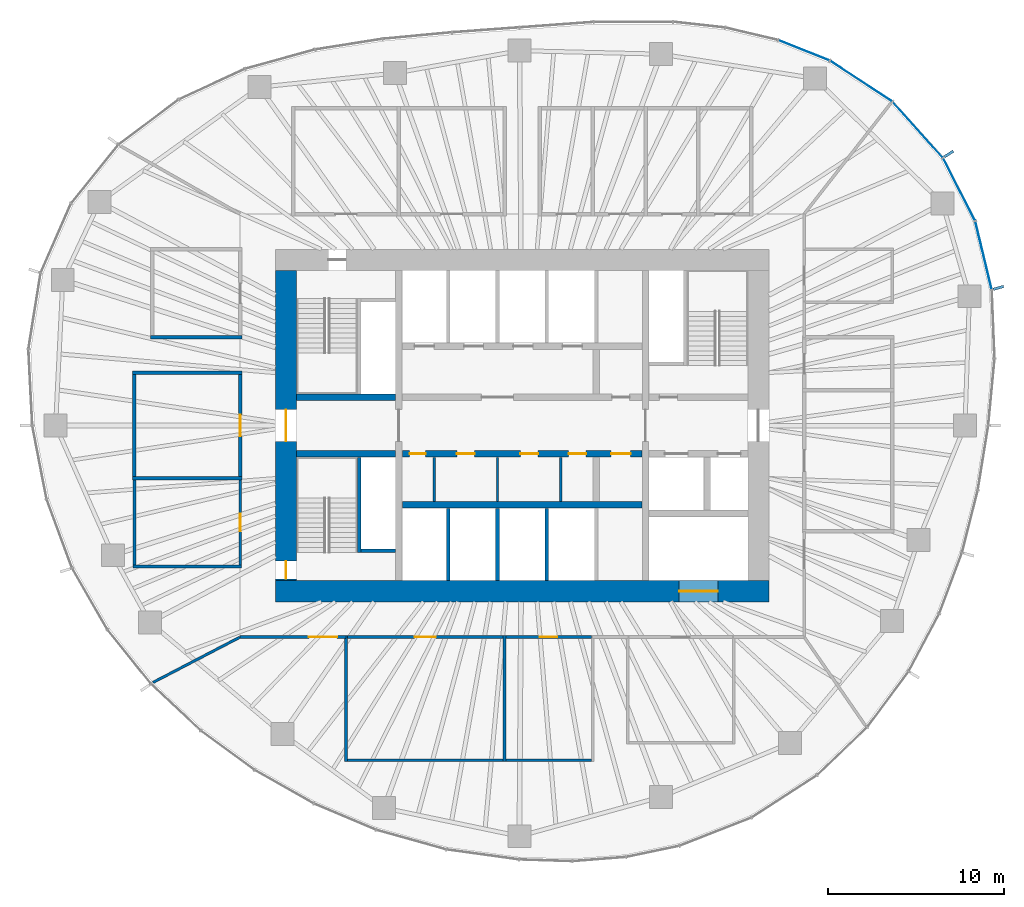
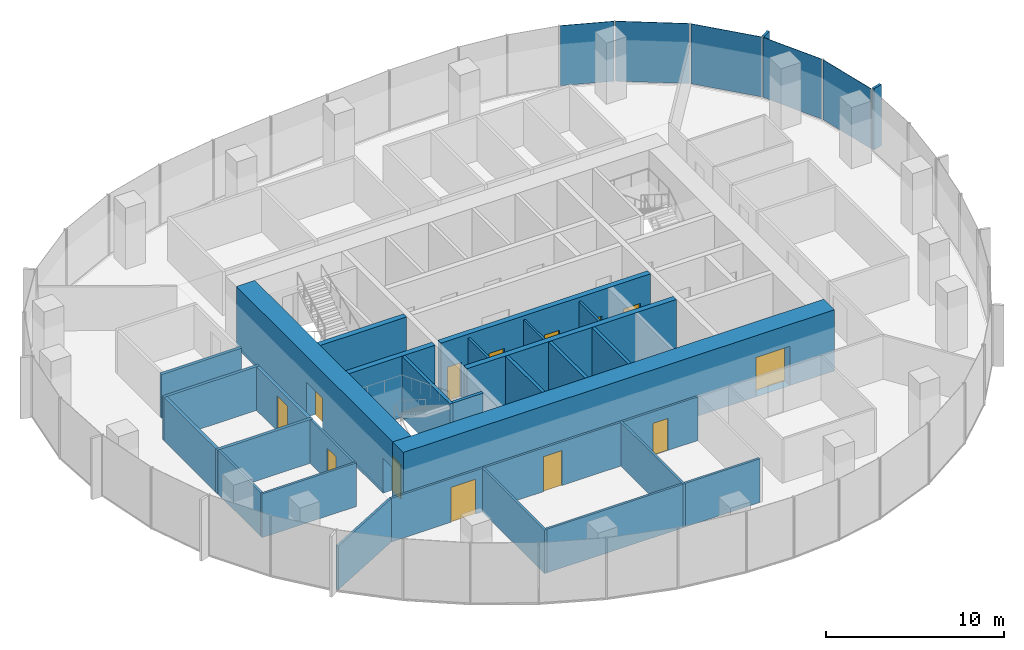
# One storey, part 8 of 11: 30 walls, 13 doors, 7 plates, 13 openings, 3 elements without a shape of their own.
"""IFC4 building model written with IfcOpenShell, lengths in metres."""

from ifc_helpers import new_model, si_unit, direction, frame, frame_2d, origin, origin_2d, place, context, subcontext, project, spatial, rectangle, extrude, material, layer, layer_set, type_object, element, fill, aggregate, save


model = new_model("IFC4")

# Units and contexts
model_context = context("Model", 3, precision=1e-05, world=origin(), true_north=direction((0.0, 1.0)))
body_context = subcontext(model_context, "Body", "Model", "MODEL_VIEW")
ifc_project = project(units=[si_unit("LENGTHUNIT", "METRE"), si_unit("AREAUNIT", "SQUARE_METRE"), si_unit("VOLUMEUNIT", "CUBIC_METRE"), si_unit("PLANEANGLEUNIT", "RADIAN"), si_unit("MASSUNIT", "GRAM", prefix="KILO")], contexts=[model_context])

# Site, building, storey
site_placement = place(None, origin())
site = spatial("IfcSite", under=ifc_project, at=site_placement, CompositionType="ELEMENT")
building_placement = place(site_placement, origin())
building = spatial("IfcBuilding", under=site, at=building_placement, Name="Ghaith Harvest Tower", CompositionType="ELEMENT")
storey_placement = place(building_placement, frame((0.0, 0.0, 220.0)))
storey = spatial("IfcBuildingStorey", under=building, at=storey_placement, Name="L48", CompositionType="ELEMENT", Elevation=220.0)

# Curtain wall, plates
ifc_material_1 = material(Name="Black anodised aluminium and fritted glass", Category="aluminium")
curtain_wall_type = type_object("IfcCurtainWallType", Name="CW-H CURTAIN WALL", PredefinedType="NOTDEFINED", material=ifc_material_1)
curtain_wall_1_placement = place(storey_placement, origin())
curtain_wall_1 = element("IfcCurtainWall", 1, at=curtain_wall_1_placement, inside=storey, type_object=curtain_wall_type, Name="Curtain wall CW-H bay 02 L48", PredefinedType="NOTDEFINED")
ifc_material_2 = material(Name="Glass, dark solar-control fritted double glazed unit", Category="glass")
ifc_layer_1 = layer(ifc_material_2, 0.030029296875)
ifc_layer_set_1 = layer_set([ifc_layer_1], Name="CW-H VISION PANEL")
plate_type_1 = type_object("IfcPlateType", Name="CW-H VISION PANEL", PredefinedType="CURTAIN_PANEL", material=ifc_layer_set_1)
plate_1_placement = place(storey_placement, frame((26.1767578125, 9.6533203125, 0.079833984375), z_axis=(0.0, 0.0, 1.0), x_axis=(-0.233894000303, 0.972262102842, 0.0)))
plate_1 = element("IfcPlate", 2, at=plate_1_placement, type_object=plate_type_1, Name="CW-H glass unit 1 bay 02 L48", PredefinedType="CURTAIN_PANEL", context=body_context, shape_type="SweptSolid", body=[
    extrude(rectangle(XDim=3.935546875, YDim=0.030029296875, at=origin_2d()), origin(), (0.0, 0.0, 1.0), 4.1201171875),
])
plate_2_placement = place(storey_placement, frame((24.790771484375, 13.399658203125, 0.079833984375), z_axis=(0.0, 0.0, 1.0), x_axis=(-0.454915320985, 0.890534699342, 0.0)))
plate_2 = element("IfcPlate", 3, at=plate_2_placement, type_object=plate_type_1, Name="CW-H glass unit 2 bay 02 L48", PredefinedType="CURTAIN_PANEL", context=body_context, shape_type="SweptSolid", body=[
    extrude(rectangle(XDim=3.949462890625, YDim=0.030029296875, at=origin_2d()), origin(), (0.0, 0.0, 1.0), 4.1201171875),
])
aggregate(curtain_wall_1, [plate_1, plate_2])

curtain_wall_2_placement = place(storey_placement, origin())
curtain_wall_2 = element("IfcCurtainWall", 4, at=curtain_wall_2_placement, inside=storey, type_object=curtain_wall_type, Name="Curtain wall CW-H bay 03 L48", PredefinedType="NOTDEFINED")
plate_3_placement = place(storey_placement, frame((22.44384765625, 16.783935546875, 0.079833984375), z_axis=(0.0, 0.0, 1.0), x_axis=(-0.668757736889, 0.743480389352, 0.0)))
plate_3 = element("IfcPlate", 5, at=plate_3_placement, type_object=plate_type_1, Name="CW-H glass unit 1 bay 03 L48", PredefinedType="CURTAIN_PANEL", context=body_context, shape_type="SweptSolid", body=[
    extrude(rectangle(XDim=4.19775390625, YDim=0.030029296875, at=origin_2d()), origin(), (0.0, 0.0, 1.0), 4.1201171875),
])
plate_4_placement = place(storey_placement, frame((19.236328125, 19.539306640625, 0.079833984375), z_axis=(0.0, 0.0, 1.0), x_axis=(-0.836276741583, 0.548307588392, 0.0)))
plate_4 = element("IfcPlate", 6, at=plate_4_placement, type_object=plate_type_1, Name="CW-H glass unit 2 bay 03 L48", PredefinedType="CURTAIN_PANEL", context=body_context, shape_type="SweptSolid", body=[
    extrude(rectangle(XDim=4.169677734375, YDim=0.030029296875, at=origin_2d()), origin(), (0.0, 0.0, 1.0), 4.1201171875),
])
aggregate(curtain_wall_2, [plate_3, plate_4])

# Curtain wall, plate
curtain_wall_3_placement = place(storey_placement, origin())
curtain_wall_3 = element("IfcCurtainWall", 7, at=curtain_wall_3_placement, inside=storey, type_object=curtain_wall_type, Name="Curtain wall CW-H bay 04 L48", PredefinedType="NOTDEFINED")
plate_5_placement = place(storey_placement, frame((15.993408203125, 21.287841796875, 0.079833984375), z_axis=(0.0, 0.0, 1.0), x_axis=(-0.929107322045, 0.369810200133, 0.0)))
plate_5 = element("IfcPlate", 8, at=plate_5_placement, type_object=plate_type_1, Name="CW-H glass unit 1 bay 04 L48", PredefinedType="CURTAIN_PANEL", context=body_context, shape_type="SweptSolid", body=[
    extrude(rectangle(XDim=3.075927734375, YDim=0.030029296875, at=origin_2d()), origin(), (0.0, 0.0, 1.0), 4.1201171875),
])
aggregate(curtain_wall_3, [plate_5])

# Plates
ifc_material_3 = material(Name="Glassfibre-reinforced concrete", Category="concrete")
ifc_layer_2 = layer(ifc_material_3, 0.14990234375)
ifc_layer_set_2 = layer_set([ifc_layer_2], Name="SUN-BREAKER FIN 600x150")
plate_type_2 = type_object("IfcPlateType", Name="SUN-BREAKER FIN 600x150", PredefinedType="USERDEFINED", material=ifc_layer_set_2)
for number, where, z_axis, x_axis, name in (
    (9, (27.03076171875, 7.8125, 0.0), (0.0, 0.0, 1.0), (0.960680349985, 0.277656739792, 0.0), "Sun-breaker fin CW-H 1 bay 02 L48"),
    (10, (24.211669921875, 15.408447265625, 0.0), (0.0, 0.0, 1.0), (0.843643971464, 0.536903016766, 0.0), "Sun-breaker fin CW-H 1 bay 03 L48"),
):
    element("IfcPlate", number, at=place(storey_placement, frame(where, z_axis=z_axis, x_axis=x_axis)), inside=storey, type_object=plate_type_2, Name=name, ObjectType="SUN-BREAKER FIN", PredefinedType="USERDEFINED", context=body_context, shape_type="SweptSolid", body=[
        extrude(rectangle(XDim=0.60009765625, YDim=0.14990234375, at=origin_2d()), origin(), (0.0, 0.0, 1.0), 4.199951171875),
    ])

# Walls
ifc_material_4 = material(Name="Twin-stud gypsum board, acoustic", Category="gypsum")
ifc_layer_3 = layer(ifc_material_4, 0.199951171875)
ifc_layer_set_3 = layer_set([ifc_layer_3], Name="ACOUSTIC PARTITION 200")
wall_type_1 = type_object("IfcWallType", Name="ACOUSTIC PARTITION 200", PredefinedType="PARTITIONING", material=ifc_layer_set_3)
for number, where, z_axis, x_axis, name in (
    (11, (-15.89990234375, -3.0, 0.0), (0.0, 0.0, 1.0), (-1.0, 0.0, 0.0), "Partition L48 row W6 cross wall 2"),
    (12, (-15.89990234375, 3.0, 0.0), (0.0, 0.0, 1.0), (-1.0, 0.0, 0.0), "Partition L48 row W6 cross wall 3"),
):
    element("IfcWall", number, at=place(storey_placement, frame(where, z_axis=z_axis, x_axis=x_axis)), inside=storey, type_object=wall_type_1, Name=name, PredefinedType="PARTITIONING", context=body_context, shape_type="SweptSolid", body=[
        extrude(rectangle(XDim=6.2001953125, YDim=0.199951171875, at=frame_2d((3.10009765625, 0.0))), origin(), (0.0, 0.0, 1.0), 3.0),
    ])

# Wall, opening, door
wall_1_placement = place(storey_placement, frame((-16.0, -2.89990234375, 0.0), z_axis=(0.0, 0.0, 1.0), x_axis=(0.0, 1.0, 0.0)))
wall_1 = element("IfcWall", 13, at=wall_1_placement, inside=storey, type_object=wall_type_1, Name="Partition L48-13", PredefinedType="PARTITIONING", context=body_context, shape_type="SweptSolid", body=[
    extrude(rectangle(XDim=5.7998046875, YDim=0.199951171875, at=frame_2d((2.89990234375, 0.0))), origin(), (0.0, 0.0, 1.0), 3.0),
])
opening_1_placement = place(wall_1_placement, frame((2.300048828125, 0.0, 0.0)))
opening_1 = element("IfcOpeningElement", 14, at=opening_1_placement, cuts=wall_1, Name="Opening 48-034", PredefinedType="OPENING", context=body_context, shape_type="SweptSolid", body=[
    extrude(rectangle(XDim=1.199951171875, YDim=2.39990234375, at=frame_2d((0.60009765625, 1.199951171875))), frame((0.0, 0.10986328125, 0.0), z_axis=(0.0, -1.0, 0.0), x_axis=(1.0, 0.0, 0.0)), (0.0, 0.0, 1.0), 0.219970703125),
])
ifc_material_5 = material(Name="Timber door", Category="wood")
door_type_1 = type_object("IfcDoorType", Name="D11 GLAZED 1200x2400", OperationType="SINGLE_SWING_LEFT", PredefinedType="DOOR", material=ifc_material_5)
door_1_placement = place(opening_1_placement, origin())
door_1 = element("IfcDoor", 15, at=door_1_placement, inside=storey, type_object=door_type_1, Name="Meeting room door", OperationType="SINGLE_SWING_LEFT", OverallHeight=2.39990234375, OverallWidth=1.199951171875, PredefinedType="DOOR", context=body_context, shape_type="SweptSolid", body=[
    extrude(rectangle(XDim=1.199951171875, YDim=2.39990234375, at=frame_2d((0.60009765625, 1.199951171875))), frame((0.0, 0.02490234375, 0.0), z_axis=(0.0, -1.0, 0.0), x_axis=(1.0, 0.0, 0.0)), (0.0, 0.0, 1.0), 0.050048828125),
])
fill(opening_1, door_1)

# Walls
wall_2_placement = place(storey_placement, frame((-22.0, -2.89990234375, 0.0), z_axis=(0.0, 0.0, 1.0), x_axis=(0.0, 1.0, 0.0)))
element("IfcWall", 16, at=wall_2_placement, inside=storey, type_object=wall_type_1, Name="Partition L48-13", PredefinedType="PARTITIONING", context=body_context, shape_type="SweptSolid", body=[
    extrude(rectangle(XDim=5.7998046875, YDim=0.199951171875, at=frame_2d((2.89990234375, 0.0))), origin(), (0.0, 0.0, 1.0), 3.0),
])
wall_3_placement = place(storey_placement, frame((-15.89990234375, 5.0, 0.0), z_axis=(0.0, 0.0, 1.0), x_axis=(-1.0, 0.0, 0.0)))
element("IfcWall", 17, at=wall_3_placement, inside=storey, type_object=wall_type_1, Name="Partition L48 row W8 cross wall 1", PredefinedType="PARTITIONING", context=body_context, shape_type="SweptSolid", body=[
    extrude(rectangle(XDim=5.2001953125, YDim=0.199951171875, at=frame_2d((2.60009765625, 0.0))), origin(), (0.0, 0.0, 1.0), 3.0),
])
ifc_material_6 = material(Name="Concrete blockwork, fair-faced", Category="masonry")
ifc_layer_4 = layer(ifc_material_6, 0.139892578125)
ifc_layer_set_4 = layer_set([ifc_layer_4], Name="CORE PARTITION 140")
wall_type_2 = type_object("IfcWallType", Name="CORE PARTITION 140", PredefinedType="PARTITIONING", material=ifc_layer_set_4)
for number, where, z_axis, x_axis, name in (
    (18, (-5.0, -1.800048828125, 0.0), (0.0, 0.0, 1.0), (0.0, -1.0, 0.0), "Core partition L48"),
    (19, (-1.39990234375, -1.800048828125, 0.0), (0.0, 0.0, 1.0), (0.0, -1.0, 0.0), "Core partition L48"),
    (20, (2.199951171875, -1.800048828125, 0.0), (0.0, 0.0, 1.0), (0.0, -1.0, 0.0), "Core partition L48"),
):
    element("IfcWall", number, at=place(storey_placement, frame(where, z_axis=z_axis, x_axis=x_axis)), inside=storey, type_object=wall_type_2, Name=name, PredefinedType="PARTITIONING", context=body_context, shape_type="SweptSolid", body=[
        extrude(rectangle(XDim=2.5, YDim=0.139892578125, at=frame_2d((1.25, 0.0))), origin(), (0.0, 0.0, 1.0), 3.949951171875),
    ])

# Wall, opening, door
ifc_material_7 = material(Name="Concrete C60/75", Category="concrete")
ifc_layer_5 = layer(ifc_material_7, 1.199951171875)
ifc_layer_set_5 = layer_set([ifc_layer_5], Name="CORE WALL CW1200 C60")
wall_type_3 = type_object("IfcWallType", Name="CORE WALL CW1200 C60", PredefinedType="SHEAR", material=ifc_layer_set_5)
wall_4_placement = place(storey_placement, frame((-14.0, -9.39990234375, 0.0), z_axis=(0.0, 0.0, 1.0), x_axis=(1.0, 0.0, 0.0)))
wall_4 = element("IfcWall", 21, at=wall_4_placement, inside=storey, type_object=wall_type_3, Name="Core wall S L48", PredefinedType="SHEAR", context=body_context, shape_type="SweptSolid", body=[
    extrude(rectangle(XDim=28.0, YDim=1.199951171875, at=frame_2d((14.0, 0.0))), origin(), (0.0, 0.0, 1.0), 4.199951171875),
])
opening_2_placement = place(wall_4_placement, frame((22.89990234375, 0.0, 0.0)))
opening_2 = element("IfcOpeningElement", 22, at=opening_2_placement, cuts=wall_4, Name="Opening 48-021", PredefinedType="OPENING", context=body_context, shape_type="SweptSolid", body=[
    extrude(rectangle(XDim=2.199951171875, YDim=2.699951171875, at=frame_2d((1.10009765625, 1.35009765625))), frame((0.0, 0.60986328125, 0.0), z_axis=(0.0, -1.0, 0.0), x_axis=(1.0, 0.0, 0.0)), (0.0, 0.0, 1.0), 1.219970703125),
])
ifc_material_8 = material(Name="Steel fire door", Category="steel")
door_type_2 = type_object("IfcDoorType", Name="LD3 LANDING 2200x2700", OperationType="DOUBLE_DOOR_SLIDING", PredefinedType="DOOR", material=ifc_material_8)
door_2_placement = place(opening_2_placement, origin())
door_2 = element("IfcDoor", 23, at=door_2_placement, inside=storey, type_object=door_type_2, Name="Landing door, goods lift GL1", OperationType="DOUBLE_DOOR_SLIDING", OverallHeight=2.699951171875, OverallWidth=2.199951171875, PredefinedType="DOOR", context=body_context, shape_type="SweptSolid", body=[
    extrude(rectangle(XDim=2.199951171875, YDim=2.699951171875, at=frame_2d((1.10009765625, 1.35009765625))), frame((0.0, 0.02490234375, 0.0), z_axis=(0.0, -1.0, 0.0), x_axis=(1.0, 0.0, 0.0)), (0.0, 0.0, 1.0), 0.050048828125),
])
fill(opening_2, door_2)

# Wall, openings, doors
wall_5_placement = place(storey_placement, frame((-13.39990234375, 8.800048828125, 0.0), z_axis=(0.0, 0.0, 1.0), x_axis=(0.0, -1.0, 0.0)))
wall_5 = element("IfcWall", 24, at=wall_5_placement, inside=storey, type_object=wall_type_3, Name="Core wall W L48", PredefinedType="SHEAR", context=body_context, shape_type="SweptSolid", body=[
    extrude(rectangle(XDim=17.60009765625, YDim=1.199951171875, at=frame_2d((8.800048828125, 0.0))), origin(), (0.0, 0.0, 1.0), 4.199951171875),
])
opening_3_placement = place(wall_5_placement, frame((7.89990234375, 0.0, 0.0)))
opening_3 = element("IfcOpeningElement", 25, at=opening_3_placement, cuts=wall_5, Name="Opening 48-001", PredefinedType="OPENING", context=body_context, shape_type="SweptSolid", body=[
    extrude(rectangle(XDim=1.800048828125, YDim=2.39990234375, at=frame_2d((0.89990234375, 1.199951171875))), frame((0.0, 0.60986328125, 0.0), z_axis=(0.0, -1.0, 0.0), x_axis=(1.0, 0.0, 0.0)), (0.0, 0.0, 1.0), 1.219970703125),
])
opening_4_placement = place(wall_5_placement, frame((16.5, 0.0, 0.0)))
opening_4 = element("IfcOpeningElement", 26, at=opening_4_placement, cuts=wall_5, Name="Opening 48-006", PredefinedType="OPENING", context=body_context, shape_type="SweptSolid", body=[
    extrude(rectangle(XDim=1.0, YDim=2.39990234375, at=frame_2d((0.5, 1.199951171875))), frame((0.0, 0.60986328125, 0.0), z_axis=(0.0, -1.0, 0.0), x_axis=(1.0, 0.0, 0.0)), (0.0, 0.0, 1.0), 1.219970703125),
])
ifc_material_9 = material(Name="Steel fire door", Category="steel")
door_type_3 = type_object("IfcDoorType", Name="D3 FD90 1000x2400", OperationType="SINGLE_SWING_LEFT", PredefinedType="DOOR", material=ifc_material_9)
door_3_placement = place(opening_4_placement, origin())
door_3 = element("IfcDoor", 27, at=door_3_placement, inside=storey, type_object=door_type_3, Name="Stair ST3 door", OperationType="SINGLE_SWING_RIGHT", OverallHeight=2.39990234375, OverallWidth=1.0, PredefinedType="DOOR", context=body_context, shape_type="SweptSolid", body=[
    extrude(rectangle(XDim=1.0, YDim=2.39990234375, at=frame_2d((0.5, 1.199951171875))), frame((0.0, 0.02490234375, 0.0), z_axis=(0.0, -1.0, 0.0), x_axis=(1.0, 0.0, 0.0)), (0.0, 0.0, 1.0), 0.050048828125),
])
fill(opening_4, door_3)
ifc_material_10 = material(Name="Steel fire door", Category="steel")
door_type_4 = type_object("IfcDoorType", Name="D4 FD90 PAIR 1800x2400", OperationType="DOUBLE_DOOR_SINGLE_SWING", PredefinedType="DOOR", material=ifc_material_10)
door_4_placement = place(opening_3_placement, origin())
door_4 = element("IfcDoor", 28, at=door_4_placement, inside=storey, type_object=door_type_4, Name="West lobby doors", OperationType="DOUBLE_DOOR_SINGLE_SWING", OverallHeight=2.39990234375, OverallWidth=1.800048828125, PredefinedType="DOOR", context=body_context, shape_type="SweptSolid", body=[
    extrude(rectangle(XDim=1.800048828125, YDim=2.39990234375, at=frame_2d((0.89990234375, 1.199951171875))), frame((0.0, 0.02490234375, 0.0), z_axis=(0.0, -1.0, 0.0), x_axis=(1.0, 0.0, 0.0)), (0.0, 0.0, 1.0), 0.050048828125),
])
fill(opening_3, door_4)

# Walls
ifc_material_11 = material(Name="Concrete blockwork, 2-hour", Category="masonry")
ifc_layer_6 = layer(ifc_material_11, 0.199951171875)
ifc_layer_set_6 = layer_set([ifc_layer_6], Name="LIFT SHAFT WALL 200")
wall_type_4 = type_object("IfcWallType", Name="LIFT SHAFT WALL 200", PredefinedType="PARTITIONING", material=ifc_layer_set_6)
for number, where, z_axis, x_axis, name in (
    (29, (-4.199951171875, -4.699951171875, 0.0), (0.0, 0.0, 1.0), (0.0, -1.0, 0.0), "Lift shaft wall L48"),
    (30, (-1.39990234375, -4.699951171875, 0.0), (0.0, 0.0, 1.0), (0.0, -1.0, 0.0), "Lift shaft wall L48"),
    (31, (1.39990234375, -4.699951171875, 0.0), (0.0, 0.0, 1.0), (0.0, -1.0, 0.0), "Lift shaft wall L48"),
):
    element("IfcWall", number, at=place(storey_placement, frame(where, z_axis=z_axis, x_axis=x_axis)), inside=storey, type_object=wall_type_4, Name=name, PredefinedType="PARTITIONING", context=body_context, shape_type="SweptSolid", body=[
        extrude(rectangle(XDim=4.10009765625, YDim=0.199951171875, at=frame_2d((2.050048828125, 0.0))), origin(), (0.0, 0.0, 1.0), 4.199951171875),
    ])
ifc_material_12 = material(Name="Gypsum board on steel studs", Category="steel")
ifc_layer_7 = layer(ifc_material_12, 0.14990234375)
ifc_layer_set_7 = layer_set([ifc_layer_7], Name="PARTITION 150")
wall_type_5 = type_object("IfcWallType", Name="PARTITION 150", PredefinedType="PARTITIONING", material=ifc_layer_set_7)
for number, where, z_axis, x_axis, name in (
    (32, (-10.0, -11.925048828125, 0.0), (0.0, 0.0, 1.0), (0.0, -1.0, 0.0), "Partition L48 row S3 cross wall 1"),
    (33, (-1.0, -11.925048828125, 0.0), (0.0, 0.0, 1.0), (0.0, -1.0, 0.0), "Partition L48 row S3 cross wall 2"),
):
    element("IfcWall", number, at=place(storey_placement, frame(where, z_axis=z_axis, x_axis=x_axis)), inside=storey, type_object=wall_type_5, Name=name, PredefinedType="PARTITIONING", context=body_context, shape_type="SweptSolid", body=[
        extrude(rectangle(XDim=7.14990234375, YDim=0.14990234375, at=frame_2d((3.574951171875, 0.0))), origin(), (0.0, 0.0, 1.0), 3.0),
    ])

# Wall, opening, door
wall_6_placement = place(storey_placement, frame((-9.925048828125, -12.0, 0.0), z_axis=(0.0, 0.0, 1.0), x_axis=(1.0, 0.0, 0.0)))
wall_6 = element("IfcWall", 34, at=wall_6_placement, inside=storey, type_object=wall_type_5, Name="Partition L48-07", PredefinedType="PARTITIONING", context=body_context, shape_type="SweptSolid", body=[
    extrude(rectangle(XDim=8.85009765625, YDim=0.14990234375, at=frame_2d((4.425048828125, 0.0))), origin(), (0.0, 0.0, 1.0), 3.0),
])
opening_5_placement = place(wall_6_placement, frame((3.824951171875, 0.0, 0.0)))
opening_5 = element("IfcOpeningElement", 35, at=opening_5_placement, cuts=wall_6, Name="Opening 48-028", PredefinedType="OPENING", context=body_context, shape_type="SweptSolid", body=[
    extrude(rectangle(XDim=1.199951171875, YDim=2.39990234375, at=frame_2d((0.60009765625, 1.199951171875))), frame((0.0, 0.0849609375, 0.0), z_axis=(0.0, -1.0, 0.0), x_axis=(1.0, 0.0, 0.0)), (0.0, 0.0, 1.0), 0.169921875),
])
door_5_placement = place(opening_5_placement, origin())
door_5 = element("IfcDoor", 36, at=door_5_placement, inside=storey, type_object=door_type_1, Name="Model studio door", OperationType="SINGLE_SWING_LEFT", OverallHeight=2.39990234375, OverallWidth=1.199951171875, PredefinedType="DOOR", context=body_context, shape_type="SweptSolid", body=[
    extrude(rectangle(XDim=1.199951171875, YDim=2.39990234375, at=frame_2d((0.60009765625, 1.199951171875))), frame((0.0, 0.02490234375, 0.0), z_axis=(0.0, -1.0, 0.0), x_axis=(1.0, 0.0, 0.0)), (0.0, 0.0, 1.0), 0.050048828125),
])
fill(opening_5, door_5)

# Wall
wall_7_placement = place(storey_placement, frame((-9.925048828125, -19.0, 0.0), z_axis=(0.0, 0.0, 1.0), x_axis=(1.0, 0.0, 0.0)))
element("IfcWall", 37, at=wall_7_placement, inside=storey, type_object=wall_type_5, Name="Partition L48-07", PredefinedType="PARTITIONING", context=body_context, shape_type="SweptSolid", body=[
    extrude(rectangle(XDim=8.85009765625, YDim=0.14990234375, at=frame_2d((4.425048828125, 0.0))), origin(), (0.0, 0.0, 1.0), 3.0),
])

# Wall, opening, door
wall_8_placement = place(storey_placement, frame((-0.925048828125, -12.0, 0.0), z_axis=(0.0, 0.0, 1.0), x_axis=(1.0, 0.0, 0.0)))
wall_8 = element("IfcWall", 38, at=wall_8_placement, inside=storey, type_object=wall_type_5, Name="Partition L48-08", PredefinedType="PARTITIONING", context=body_context, shape_type="SweptSolid", body=[
    extrude(rectangle(XDim=4.85009765625, YDim=0.14990234375, at=frame_2d((2.425048828125, 0.0))), origin(), (0.0, 0.0, 1.0), 3.0),
])
opening_6_placement = place(wall_8_placement, frame((1.925048828125, 0.0, 0.0)))
opening_6 = element("IfcOpeningElement", 39, at=opening_6_placement, cuts=wall_8, Name="Opening 48-029", PredefinedType="OPENING", context=body_context, shape_type="SweptSolid", body=[
    extrude(rectangle(XDim=1.0, YDim=2.199951171875, at=frame_2d((0.5, 1.10009765625))), frame((0.0, 0.0849609375, 0.0), z_axis=(0.0, -1.0, 0.0), x_axis=(1.0, 0.0, 0.0)), (0.0, 0.0, 1.0), 0.169921875),
])
ifc_material_13 = material(Name="Timber door", Category="wood")
door_type_5 = type_object("IfcDoorType", Name="D1 SINGLE 1000x2200", OperationType="SINGLE_SWING_LEFT", PredefinedType="DOOR", material=ifc_material_13)
door_6_placement = place(opening_6_placement, origin())
door_6 = element("IfcDoor", 40, at=door_6_placement, inside=storey, type_object=door_type_5, Name="Store door", OperationType="SINGLE_SWING_LEFT", OverallHeight=2.199951171875, OverallWidth=1.0, PredefinedType="DOOR", context=body_context, shape_type="SweptSolid", body=[
    extrude(rectangle(XDim=1.0, YDim=2.199951171875, at=frame_2d((0.5, 1.10009765625))), frame((0.0, 0.02490234375, 0.0), z_axis=(0.0, -1.0, 0.0), x_axis=(1.0, 0.0, 0.0)), (0.0, 0.0, 1.0), 0.050048828125),
])
fill(opening_6, door_6)

# Walls
wall_9_placement = place(storey_placement, frame((-0.925048828125, -19.0, 0.0), z_axis=(0.0, 0.0, 1.0), x_axis=(1.0, 0.0, 0.0)))
element("IfcWall", 41, at=wall_9_placement, inside=storey, type_object=wall_type_5, Name="Partition L48-08", PredefinedType="PARTITIONING", context=body_context, shape_type="SweptSolid", body=[
    extrude(rectangle(XDim=4.85009765625, YDim=0.14990234375, at=frame_2d((2.425048828125, 0.0))), origin(), (0.0, 0.0, 1.0), 3.0),
])
wall_10_placement = place(storey_placement, frame((-15.925048828125, -8.0, 0.0), z_axis=(0.0, 0.0, 1.0), x_axis=(-1.0, 0.0, 0.0)))
element("IfcWall", 42, at=wall_10_placement, inside=storey, type_object=wall_type_5, Name="Partition L48 row W6 cross wall 1", PredefinedType="PARTITIONING", context=body_context, shape_type="SweptSolid", body=[
    extrude(rectangle(XDim=6.14990234375, YDim=0.14990234375, at=frame_2d((3.074951171875, 0.0))), origin(), (0.0, 0.0, 1.0), 3.0),
])

# Wall, opening, door
wall_11_placement = place(storey_placement, frame((-16.0, -7.925048828125, 0.0), z_axis=(0.0, 0.0, 1.0), x_axis=(0.0, 1.0, 0.0)))
wall_11 = element("IfcWall", 43, at=wall_11_placement, inside=storey, type_object=wall_type_5, Name="Partition L48-12", PredefinedType="PARTITIONING", context=body_context, shape_type="SweptSolid", body=[
    extrude(rectangle(XDim=4.824951171875, YDim=0.14990234375, at=frame_2d((2.41259765625, 0.0))), origin(), (0.0, 0.0, 1.0), 3.0),
])
opening_7_placement = place(wall_11_placement, frame((1.91259765625, 0.0, 0.0)))
opening_7 = element("IfcOpeningElement", 44, at=opening_7_placement, cuts=wall_11, Name="Opening 48-033", PredefinedType="OPENING", context=body_context, shape_type="SweptSolid", body=[
    extrude(rectangle(XDim=1.0, YDim=2.199951171875, at=frame_2d((0.5, 1.10009765625))), frame((0.0, 0.0849609375, 0.0), z_axis=(0.0, -1.0, 0.0), x_axis=(1.0, 0.0, 0.0)), (0.0, 0.0, 1.0), 0.169921875),
])
door_7_placement = place(opening_7_placement, origin())
door_7 = element("IfcDoor", 45, at=door_7_placement, inside=storey, type_object=door_type_5, Name="Print room door", OperationType="SINGLE_SWING_LEFT", OverallHeight=2.199951171875, OverallWidth=1.0, PredefinedType="DOOR", context=body_context, shape_type="SweptSolid", body=[
    extrude(rectangle(XDim=1.0, YDim=2.199951171875, at=frame_2d((0.5, 1.10009765625))), frame((0.0, 0.02490234375, 0.0), z_axis=(0.0, -1.0, 0.0), x_axis=(1.0, 0.0, 0.0)), (0.0, 0.0, 1.0), 0.050048828125),
])
fill(opening_7, door_7)

# Walls
wall_12_placement = place(storey_placement, frame((-22.0, -7.925048828125, 0.0), z_axis=(0.0, 0.0, 1.0), x_axis=(0.0, 1.0, 0.0)))
element("IfcWall", 46, at=wall_12_placement, inside=storey, type_object=wall_type_5, Name="Partition L48-12", PredefinedType="PARTITIONING", context=body_context, shape_type="SweptSolid", body=[
    extrude(rectangle(XDim=4.824951171875, YDim=0.14990234375, at=frame_2d((2.41259765625, 0.0))), origin(), (0.0, 0.0, 1.0), 3.0),
])
wall_13_placement = place(storey_placement, frame((-16.017578125, -12.00927734375, 0.0), z_axis=(0.0, 0.0, 1.0), x_axis=(-0.886831549241, -0.462092851351, 0.0)))
element("IfcWall", 47, at=wall_13_placement, inside=storey, type_object=wall_type_5, Name="Partition L48 zone division", PredefinedType="PARTITIONING", context=body_context, shape_type="SweptSolid", body=[
    extrude(rectangle(XDim=5.555419921875, YDim=0.14990234375, at=frame_2d((2.77783203125, 0.0))), origin(), (0.0, 0.0, 1.0), 3.0),
])

# Wall, opening, door
wall_14_placement = place(storey_placement, frame((-16.0, -12.0, 0.0), z_axis=(0.0, 0.0, 1.0), x_axis=(1.0, 0.0, 0.0)))
wall_14 = element("IfcWall", 48, at=wall_14_placement, inside=storey, type_object=wall_type_5, Name="Partition L48 zone enclosure", PredefinedType="PARTITIONING", context=body_context, shape_type="SweptSolid", body=[
    extrude(rectangle(XDim=6.0, YDim=0.14990234375, at=frame_2d((3.0, 0.0))), origin(), (0.0, 0.0, 1.0), 3.0),
])
opening_8_placement = place(wall_14_placement, frame((3.89990234375, 0.0, 0.0)))
opening_8 = element("IfcOpeningElement", 49, at=opening_8_placement, cuts=wall_14, Name="Opening 48-038", PredefinedType="OPENING", context=body_context, shape_type="SweptSolid", body=[
    extrude(rectangle(XDim=1.60009765625, YDim=2.39990234375, at=frame_2d((0.800048828125, 1.199951171875))), frame((0.0, 0.0849609375, 0.0), z_axis=(0.0, -1.0, 0.0), x_axis=(1.0, 0.0, 0.0)), (0.0, 0.0, 1.0), 0.169921875),
])
ifc_material_14 = material(Name="Timber door", Category="wood")
door_type_6 = type_object("IfcDoorType", Name="D2 PAIR 1600x2400", OperationType="DOUBLE_DOOR_SINGLE_SWING", PredefinedType="DOOR", material=ifc_material_14)
door_8_placement = place(opening_8_placement, origin())
door_8 = element("IfcDoor", 50, at=door_8_placement, inside=storey, type_object=door_type_6, Name="Engineering studio south door", OperationType="DOUBLE_DOOR_SINGLE_SWING", OverallHeight=2.39990234375, OverallWidth=1.60009765625, PredefinedType="DOOR", context=body_context, shape_type="SweptSolid", body=[
    extrude(rectangle(XDim=1.60009765625, YDim=2.39990234375, at=frame_2d((0.800048828125, 1.199951171875))), frame((0.0, 0.02490234375, 0.0), z_axis=(0.0, -1.0, 0.0), x_axis=(1.0, 0.0, 0.0)), (0.0, 0.0, 1.0), 0.050048828125),
])
fill(opening_8, door_8)

# Wall, openings, doors
ifc_material_15 = material(Name="Concrete C60/75", Category="concrete")
ifc_layer_8 = layer(ifc_material_15, 0.35009765625)
ifc_layer_set_8 = layer_set([ifc_layer_8], Name="SHAFT WALL 350")
wall_type_6 = type_object("IfcWallType", Name="SHAFT WALL 350", PredefinedType="SHEAR", material=ifc_layer_set_8)
wall_15_placement = place(storey_placement, frame((-6.800048828125, -1.60009765625, 0.0), z_axis=(0.0, 0.0, 1.0), x_axis=(1.0, 0.0, 0.0)))
wall_15 = element("IfcWall", 51, at=wall_15_placement, inside=storey, type_object=wall_type_6, Name="Shaft wall LS L48", PredefinedType="SHEAR", context=body_context, shape_type="SweptSolid", body=[
    extrude(rectangle(XDim=13.60009765625, YDim=0.35009765625, at=frame_2d((6.800048828125, 0.0))), origin(), (0.0, 0.0, 1.0), 4.199951171875),
])
opening_9_placement = place(wall_15_placement, frame((0.4150390625, 0.0, 0.0)))
opening_9 = element("IfcOpeningElement", 52, at=opening_9_placement, cuts=wall_15, Name="Opening 48-008", PredefinedType="OPENING", context=body_context, shape_type="SweptSolid", body=[
    extrude(rectangle(XDim=0.89990234375, YDim=2.39990234375, at=frame_2d((0.449951171875, 1.199951171875))), frame((0.0, 0.18505859375, 0.0), z_axis=(0.0, -1.0, 0.0), x_axis=(1.0, 0.0, 0.0)), (0.0, 0.0, 1.0), 0.3701171875),
])
opening_10_placement = place(wall_15_placement, frame((3.10009765625, 0.0, 0.0)))
opening_10 = element("IfcOpeningElement", 53, at=opening_10_placement, cuts=wall_15, Name="Opening 48-009", PredefinedType="OPENING", context=body_context, shape_type="SweptSolid", body=[
    extrude(rectangle(XDim=1.0, YDim=2.39990234375, at=frame_2d((0.5, 1.199951171875))), frame((0.0, 0.18505859375, 0.0), z_axis=(0.0, -1.0, 0.0), x_axis=(1.0, 0.0, 0.0)), (0.0, 0.0, 1.0), 0.3701171875),
])
opening_11_placement = place(wall_15_placement, frame((6.699951171875, 0.0, 0.0)))
opening_11 = element("IfcOpeningElement", 54, at=opening_11_placement, cuts=wall_15, Name="Opening 48-010", PredefinedType="OPENING", context=body_context, shape_type="SweptSolid", body=[
    extrude(rectangle(XDim=1.0, YDim=2.39990234375, at=frame_2d((0.5, 1.199951171875))), frame((0.0, 0.18505859375, 0.0), z_axis=(0.0, -1.0, 0.0), x_axis=(1.0, 0.0, 0.0)), (0.0, 0.0, 1.0), 0.3701171875),
])
opening_12_placement = place(wall_15_placement, frame((9.43505859375, 0.0, 0.0)))
opening_12 = element("IfcOpeningElement", 55, at=opening_12_placement, cuts=wall_15, Name="Opening 48-011", PredefinedType="OPENING", context=body_context, shape_type="SweptSolid", body=[
    extrude(rectangle(XDim=1.0, YDim=2.39990234375, at=frame_2d((0.5, 1.199951171875))), frame((0.0, 0.18505859375, 0.0), z_axis=(0.0, -1.0, 0.0), x_axis=(1.0, 0.0, 0.0)), (0.0, 0.0, 1.0), 0.3701171875),
])
opening_13_placement = place(wall_15_placement, frame((11.85009765625, 0.0, 0.0)))
opening_13 = element("IfcOpeningElement", 56, at=opening_13_placement, cuts=wall_15, Name="Opening 48-013", PredefinedType="OPENING", context=body_context, shape_type="SweptSolid", body=[
    extrude(rectangle(XDim=1.10009765625, YDim=2.39990234375, at=frame_2d((0.550048828125, 1.199951171875))), frame((0.0, 0.18505859375, 0.0), z_axis=(0.0, -1.0, 0.0), x_axis=(1.0, 0.0, 0.0)), (0.0, 0.0, 1.0), 0.3701171875),
])
door_9_placement = place(opening_10_placement, origin())
door_9 = element("IfcDoor", 57, at=door_9_placement, inside=storey, type_object=door_type_3, Name="Male WC door", OperationType="SINGLE_SWING_LEFT", OverallHeight=2.39990234375, OverallWidth=1.0, PredefinedType="DOOR", context=body_context, shape_type="SweptSolid", body=[
    extrude(rectangle(XDim=1.0, YDim=2.39990234375, at=frame_2d((0.5, 1.199951171875))), frame((0.0, 0.02490234375, 0.0), z_axis=(0.0, -1.0, 0.0), x_axis=(1.0, 0.0, 0.0)), (0.0, 0.0, 1.0), 0.050048828125),
])
fill(opening_10, door_9)
door_10_placement = place(opening_11_placement, origin())
door_10 = element("IfcDoor", 58, at=door_10_placement, inside=storey, type_object=door_type_3, Name="Female WC door", OperationType="SINGLE_SWING_RIGHT", OverallHeight=2.39990234375, OverallWidth=1.0, PredefinedType="DOOR", context=body_context, shape_type="SweptSolid", body=[
    extrude(rectangle(XDim=1.0, YDim=2.39990234375, at=frame_2d((0.5, 1.199951171875))), frame((0.0, 0.02490234375, 0.0), z_axis=(0.0, -1.0, 0.0), x_axis=(1.0, 0.0, 0.0)), (0.0, 0.0, 1.0), 0.050048828125),
])
fill(opening_11, door_10)
door_11_placement = place(opening_12_placement, origin())
door_11 = element("IfcDoor", 59, at=door_11_placement, inside=storey, type_object=door_type_3, Name="Tea point door", OperationType="SINGLE_SWING_RIGHT", OverallHeight=2.39990234375, OverallWidth=1.0, PredefinedType="DOOR", context=body_context, shape_type="SweptSolid", body=[
    extrude(rectangle(XDim=1.0, YDim=2.39990234375, at=frame_2d((0.5, 1.199951171875))), frame((0.0, 0.02490234375, 0.0), z_axis=(0.0, -1.0, 0.0), x_axis=(1.0, 0.0, 0.0)), (0.0, 0.0, 1.0), 0.050048828125),
])
fill(opening_12, door_11)
ifc_material_16 = material(Name="Steel fire door", Category="steel")
door_type_7 = type_object("IfcDoorType", Name="D5 FD90 900x2400", OperationType="SINGLE_SWING_LEFT", PredefinedType="DOOR", material=ifc_material_16)
door_12_placement = place(opening_9_placement, origin())
door_12 = element("IfcDoor", 60, at=door_12_placement, inside=storey, type_object=door_type_7, Name="Cleaner's store door", OperationType="SINGLE_SWING_LEFT", OverallHeight=2.39990234375, OverallWidth=0.89990234375, PredefinedType="DOOR", context=body_context, shape_type="SweptSolid", body=[
    extrude(rectangle(XDim=0.89990234375, YDim=2.39990234375, at=frame_2d((0.449951171875, 1.199951171875))), frame((0.0, 0.02490234375, 0.0), z_axis=(0.0, -1.0, 0.0), x_axis=(1.0, 0.0, 0.0)), (0.0, 0.0, 1.0), 0.050048828125),
])
fill(opening_9, door_12)
ifc_material_17 = material(Name="Steel fire door", Category="steel")
door_type_8 = type_object("IfcDoorType", Name="D9 FD90 1100x2400", OperationType="SINGLE_SWING_LEFT", PredefinedType="DOOR", material=ifc_material_17)
door_13_placement = place(opening_13_placement, origin())
door_13 = element("IfcDoor", 61, at=door_13_placement, inside=storey, type_object=door_type_8, Name="Accessible WC door", OperationType="SINGLE_SWING_RIGHT", OverallHeight=2.39990234375, OverallWidth=1.10009765625, PredefinedType="DOOR", context=body_context, shape_type="SweptSolid", body=[
    extrude(rectangle(XDim=1.10009765625, YDim=2.39990234375, at=frame_2d((0.550048828125, 1.199951171875))), frame((0.0, 0.02490234375, 0.0), z_axis=(0.0, -1.0, 0.0), x_axis=(1.0, 0.0, 0.0)), (0.0, 0.0, 1.0), 0.050048828125),
])
fill(opening_13, door_13)

# Walls
wall_16_placement = place(storey_placement, frame((-6.800048828125, -4.5, 0.0), z_axis=(0.0, 0.0, 1.0), x_axis=(1.0, 0.0, 0.0)))
element("IfcWall", 62, at=wall_16_placement, inside=storey, type_object=wall_type_6, Name="Shaft wall BS L48", PredefinedType="SHEAR", context=body_context, shape_type="SweptSolid", body=[
    extrude(rectangle(XDim=13.60009765625, YDim=0.35009765625, at=frame_2d((6.800048828125, 0.0))), origin(), (0.0, 0.0, 1.0), 4.199951171875),
])
for number, where, z_axis, x_axis, name in (
    (63, (-12.800048828125, 1.60009765625, 0.0), (0.0, 0.0, 1.0), (1.0, 0.0, 0.0), "Shaft wall WN L48"),
    (64, (-12.800048828125, -1.60009765625, 0.0), (0.0, 0.0, 1.0), (1.0, 0.0, 0.0), "Shaft wall WS L48"),
):
    element("IfcWall", number, at=place(storey_placement, frame(where, z_axis=z_axis, x_axis=x_axis)), inside=storey, type_object=wall_type_6, Name=name, PredefinedType="SHEAR", context=body_context, shape_type="SweptSolid", body=[
        extrude(rectangle(XDim=5.60009765625, YDim=0.35009765625, at=frame_2d((2.800048828125, 0.0))), origin(), (0.0, 0.0, 1.0), 4.199951171875),
    ])
ifc_material_18 = material(Name="Concrete C40/50", Category="concrete")
ifc_layer_9 = layer(ifc_material_18, 0.199951171875)
ifc_layer_set_9 = layer_set([ifc_layer_9], Name="STAIR SPINE WALL RC200")
wall_type_7 = type_object("IfcWallType", Name="STAIR SPINE WALL RC200", PredefinedType="SOLIDWALL", material=ifc_layer_set_9)
wall_17_placement = place(storey_placement, frame((-9.25, -7.199951171875, 0.0), z_axis=(0.0, 0.0, 1.0), x_axis=(0.0, 1.0, 0.0)))
element("IfcWall", 65, at=wall_17_placement, inside=storey, type_object=wall_type_7, Name="Stair ST3 spine wall L48", PredefinedType="SOLIDWALL", context=body_context, shape_type="SweptSolid", body=[
    extrude(rectangle(XDim=5.39990234375, YDim=0.199951171875, at=frame_2d((2.699951171875, 0.0))), origin(), (0.0, 0.0, 1.0), 4.199951171875),
])
wall_18_placement = place(storey_placement, frame((-9.14990234375, -7.10009765625, 0.0), z_axis=(0.0, 0.0, 1.0), x_axis=(1.0, 0.0, 0.0)))
element("IfcWall", 66, at=wall_18_placement, inside=storey, type_object=wall_type_7, Name="Stair ST3 spine wall return L48", PredefinedType="SOLIDWALL", context=body_context, shape_type="SweptSolid", body=[
    extrude(rectangle(XDim=1.949951171875, YDim=0.199951171875, at=frame_2d((0.97509765625, 0.0))), origin(), (0.0, 0.0, 1.0), 4.199951171875),
])

save(model, "model.ifc")
